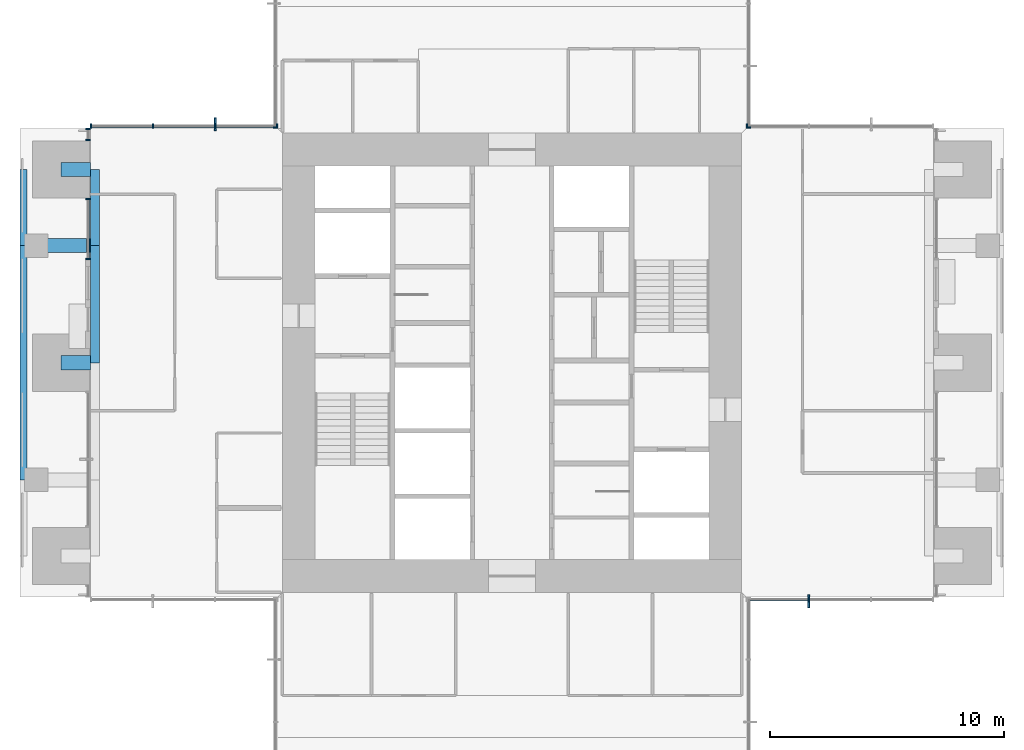
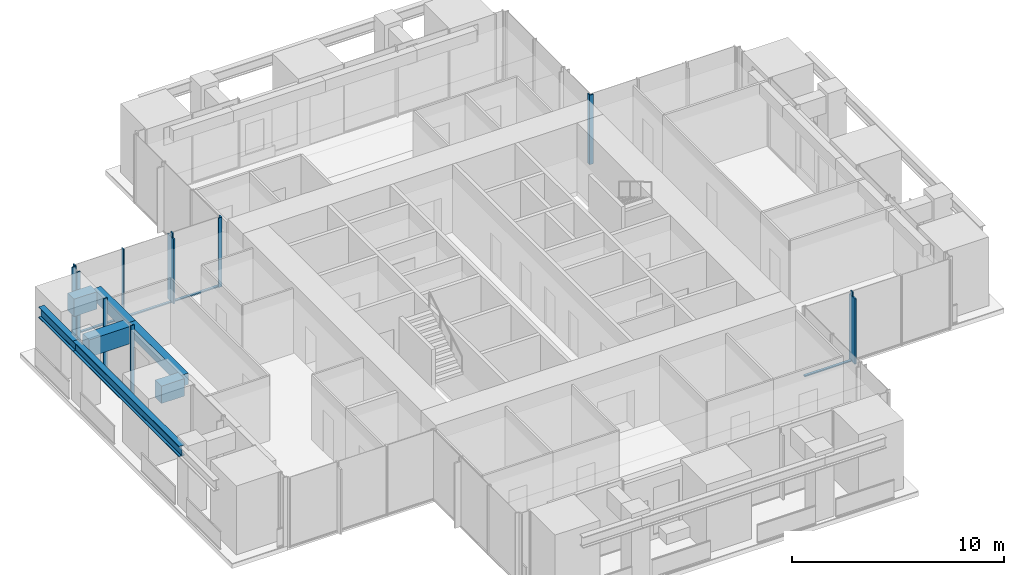
# One storey, part 3 of 17: 19 members, 7 beams, 7 elements without a shape of their own.
"""IFC4 building model written with IfcOpenShell, lengths in metres."""

from ifc_helpers import new_model, si_unit, direction, frame, origin, origin_2d, place, context, subcontext, project, spatial, rectangle, i_section, extrude, material, material_profile, profile_set, type_object, element, aggregate, save


model = new_model("IFC4")

# Units and contexts
model_context = context("Model", 3, precision=1e-05, world=origin(), true_north=direction((0.0, 1.0)))
body_context = subcontext(model_context, "Body", "Model", "MODEL_VIEW")
ifc_project = project(units=[si_unit("LENGTHUNIT", "METRE"), si_unit("AREAUNIT", "SQUARE_METRE"), si_unit("VOLUMEUNIT", "CUBIC_METRE"), si_unit("PLANEANGLEUNIT", "RADIAN"), si_unit("MASSUNIT", "GRAM", prefix="KILO")], contexts=[model_context])

# Site, building, storey
site_placement = place(None, origin())
site = spatial("IfcSite", under=ifc_project, at=site_placement, CompositionType="ELEMENT")
building_placement = place(site_placement, origin())
building = spatial("IfcBuilding", under=site, at=building_placement, Name="Svetlomir Tower", CompositionType="ELEMENT")
storey_placement = place(building_placement, frame((0.0, 0.0, 198.5)))
storey = spatial("IfcBuildingStorey", under=building, at=storey_placement, Name="L47", CompositionType="ELEMENT", Elevation=198.5)

# Curtain wall, member
ifc_material_1 = material(Name="Bronze anodised aluminium curtain wall", Category="aluminium")
curtain_wall_type = type_object("IfcCurtainWallType", Name="CURTAIN WALL CW1 TOWER OFFICE", PredefinedType="NOTDEFINED", material=ifc_material_1)
curtain_wall_1_placement = place(storey_placement, origin())
curtain_wall_1 = element("IfcCurtainWall", 1, at=curtain_wall_1_placement, inside=storey, type_object=curtain_wall_type, Name="Curtain wall CW1 L47", PredefinedType="NOTDEFINED")
ifc_material_2 = material(Name="Bronze anodised aluminium", Category="aluminium")
ifc_material_profile_1 = material_profile(ifc_material_2, rectangle(XDim=0.080078125, YDim=0.550048828125, at=origin_2d()), Name="FIN 80x550")
ifc_profile_set_1 = profile_set([ifc_material_profile_1], Name="Bronze anodised aluminium 6063-T6")
member_type_1 = type_object("IfcMemberType", Name="BRONZE FIN 80x550", PredefinedType="USERDEFINED", material=ifc_profile_set_1)
member_1_placement = place(storey_placement, frame((33.666748046875, 10.824951171875, 0.0), z_axis=(0.0, 0.0, 1.0), x_axis=(1.0, 0.0, 0.0)))
member_1 = element("IfcMember", 2, at=member_1_placement, type_object=member_type_1, Name="Bronze fin L47", ObjectType="FIN", PredefinedType="USERDEFINED", context=body_context, shape_type="SweptSolid", body=[
    extrude(rectangle(XDim=0.080078125, YDim=0.550048828125, at=origin_2d()), origin(), (0.0, 0.0, 1.0), 3.75),
])

curtain_wall_2_placement = place(storey_placement, origin())
curtain_wall_2 = element("IfcCurtainWall", 3, at=curtain_wall_2_placement, inside=storey, type_object=curtain_wall_type, Name="Curtain wall CW1 L47", PredefinedType="NOTDEFINED")
member_2_placement = place(storey_placement, frame((8.333251953125, 31.175048828125, 0.0), z_axis=(0.0, 0.0, 1.0), x_axis=(1.0, 0.0, 0.0)))
member_2 = element("IfcMember", 4, at=member_2_placement, type_object=member_type_1, Name="Bronze fin L47", ObjectType="FIN", PredefinedType="USERDEFINED", context=body_context, shape_type="SweptSolid", body=[
    extrude(rectangle(XDim=0.080078125, YDim=0.550048828125, at=origin_2d()), origin(), (0.0, 0.0, 1.0), 3.75),
])

# Member
ifc_material_3 = material(Name="Bronze anodised aluminium", Category="aluminium")
ifc_material_profile_2 = material_profile(ifc_material_3, rectangle(XDim=0.06494140625, YDim=0.199951171875, at=origin_2d()), Name="AL 65x200")
ifc_profile_set_2 = profile_set([ifc_material_profile_2], Name="Bronze anodised aluminium 6063-T6")
member_type_2 = type_object("IfcMemberType", Name="CW1 MULLION 65x200", PredefinedType="MULLION", material=ifc_profile_set_2)
member_3_placement = place(storey_placement, frame((33.666748046875, 10.89990234375, 0.0), z_axis=(0.0, 0.0, 1.0), x_axis=(1.0, 0.0, 0.0)))
member_3 = element("IfcMember", 5, at=member_3_placement, type_object=member_type_2, Name="CW1 mullion 2", PredefinedType="MULLION", context=body_context, shape_type="SweptSolid", body=[
    extrude(rectangle(XDim=0.06494140625, YDim=0.199951171875, at=origin_2d()), origin(), (0.0, 0.0, 1.0), 4.0),
])

# Curtain wall, member
curtain_wall_3_placement = place(storey_placement, origin())
curtain_wall_3 = element("IfcCurtainWall", 6, at=curtain_wall_3_placement, inside=storey, type_object=curtain_wall_type, Name="Curtain wall CW1 L47", PredefinedType="NOTDEFINED")
member_4_placement = place(storey_placement, frame((31.032470703125, 31.10009765625, 0.0), z_axis=(0.0, 0.0, 1.0), x_axis=(-1.0, 0.0, 0.0)))
member_4 = element("IfcMember", 7, at=member_4_placement, type_object=member_type_2, Name="CW1 mullion 4", PredefinedType="MULLION", context=body_context, shape_type="SweptSolid", body=[
    extrude(rectangle(XDim=0.06494140625, YDim=0.199951171875, at=origin_2d()), origin(), (0.0, 0.0, 1.0), 4.0),
])
aggregate(curtain_wall_3, [member_4])

curtain_wall_4_placement = place(storey_placement, origin())
curtain_wall_4 = element("IfcCurtainWall", 8, at=curtain_wall_4_placement, inside=storey, type_object=curtain_wall_type, Name="Curtain wall CW1 L47", PredefinedType="NOTDEFINED")
member_5_placement = place(storey_placement, frame((31.10009765625, 31.032470703125, 0.0), z_axis=(0.0, 0.0, 1.0), x_axis=(0.0, 1.0, 0.0)))
member_5 = element("IfcMember", 9, at=member_5_placement, type_object=member_type_2, Name="CW1 mullion 1", PredefinedType="MULLION", context=body_context, shape_type="SweptSolid", body=[
    extrude(rectangle(XDim=0.06494140625, YDim=0.199951171875, at=origin_2d()), origin(), (0.0, 0.0, 1.0), 4.0),
])
aggregate(curtain_wall_4, [member_5])

curtain_wall_5_placement = place(storey_placement, origin())
curtain_wall_5 = element("IfcCurtainWall", 10, at=curtain_wall_5_placement, inside=storey, type_object=curtain_wall_type, Name="Curtain wall CW1 L47", PredefinedType="NOTDEFINED")
member_6_placement = place(storey_placement, frame((10.89990234375, 31.032470703125, 0.0), z_axis=(0.0, 0.0, 1.0), x_axis=(0.0, -1.0, 0.0)))
member_6 = element("IfcMember", 11, at=member_6_placement, type_object=member_type_2, Name="CW1 mullion 4", PredefinedType="MULLION", context=body_context, shape_type="SweptSolid", body=[
    extrude(rectangle(XDim=0.06494140625, YDim=0.199951171875, at=origin_2d()), origin(), (0.0, 0.0, 1.0), 4.0),
])
aggregate(curtain_wall_5, [member_6])

# Member
member_7_placement = place(storey_placement, frame((10.967529296875, 31.10009765625, 0.0), z_axis=(0.0, 0.0, 1.0), x_axis=(-1.0, 0.0, 0.0)))
member_7 = element("IfcMember", 12, at=member_7_placement, type_object=member_type_2, Name="CW1 mullion 1", PredefinedType="MULLION", context=body_context, shape_type="SweptSolid", body=[
    extrude(rectangle(XDim=0.06494140625, YDim=0.199951171875, at=origin_2d()), origin(), (0.0, 0.0, 1.0), 4.0),
])

member_8_placement = place(storey_placement, frame((8.333251953125, 31.10009765625, 0.0), z_axis=(0.0, 0.0, 1.0), x_axis=(-1.0, 0.0, 0.0)))
member_8 = element("IfcMember", 13, at=member_8_placement, type_object=member_type_2, Name="CW1 mullion 2", PredefinedType="MULLION", context=body_context, shape_type="SweptSolid", body=[
    extrude(rectangle(XDim=0.06494140625, YDim=0.199951171875, at=origin_2d()), origin(), (0.0, 0.0, 1.0), 4.0),
])

member_9_placement = place(storey_placement, frame((5.666748046875, 31.10009765625, 0.0), z_axis=(0.0, 0.0, 1.0), x_axis=(-1.0, 0.0, 0.0)))
member_9 = element("IfcMember", 14, at=member_9_placement, type_object=member_type_2, Name="CW1 mullion 3", PredefinedType="MULLION", context=body_context, shape_type="SweptSolid", body=[
    extrude(rectangle(XDim=0.06494140625, YDim=0.199951171875, at=origin_2d()), origin(), (0.0, 0.0, 1.0), 4.0),
])

member_10_placement = place(storey_placement, frame((3.032470703125, 31.10009765625, 0.0), z_axis=(0.0, 0.0, 1.0), x_axis=(-1.0, 0.0, 0.0)))
member_10 = element("IfcMember", 15, at=member_10_placement, type_object=member_type_2, Name="CW1 mullion 4", PredefinedType="MULLION", context=body_context, shape_type="SweptSolid", body=[
    extrude(rectangle(XDim=0.06494140625, YDim=0.199951171875, at=origin_2d()), origin(), (0.0, 0.0, 1.0), 4.0),
])

# Curtain wall, members
curtain_wall_6_placement = place(storey_placement, origin())
curtain_wall_6 = element("IfcCurtainWall", 16, at=curtain_wall_6_placement, inside=storey, type_object=curtain_wall_type, Name="Curtain wall CW1 L47", PredefinedType="NOTDEFINED")
member_11_placement = place(storey_placement, frame((2.89990234375, 30.967529296875, 0.0), z_axis=(0.0, 0.0, 1.0), x_axis=(0.0, -1.0, 0.0)))
member_11 = element("IfcMember", 17, at=member_11_placement, type_object=member_type_2, Name="CW1 mullion 1", PredefinedType="MULLION", context=body_context, shape_type="SweptSolid", body=[
    extrude(rectangle(XDim=0.06494140625, YDim=0.199951171875, at=origin_2d()), origin(), (0.0, 0.0, 1.0), 4.0),
])
member_12_placement = place(storey_placement, frame((2.89990234375, 30.507568359375, 0.0), z_axis=(0.0, 0.0, 1.0), x_axis=(0.0, -1.0, 0.0)))
member_12 = element("IfcMember", 18, at=member_12_placement, type_object=member_type_2, Name="CW1 mullion 2", PredefinedType="MULLION", context=body_context, shape_type="SweptSolid", body=[
    extrude(rectangle(XDim=0.06494140625, YDim=0.199951171875, at=origin_2d()), origin(), (0.0, 0.0, 1.0), 4.0),
])
aggregate(curtain_wall_6, [member_11, member_12])

curtain_wall_7_placement = place(storey_placement, origin())
curtain_wall_7 = element("IfcCurtainWall", 19, at=curtain_wall_7_placement, inside=storey, type_object=curtain_wall_type, Name="Curtain wall CW1 L47", PredefinedType="NOTDEFINED")
member_13_placement = place(storey_placement, frame((2.89990234375, 27.992431640625, 0.0), z_axis=(0.0, 0.0, 1.0), x_axis=(0.0, -1.0, 0.0)))
member_13 = element("IfcMember", 20, at=member_13_placement, type_object=member_type_2, Name="CW1 mullion 1", PredefinedType="MULLION", context=body_context, shape_type="SweptSolid", body=[
    extrude(rectangle(XDim=0.06494140625, YDim=0.199951171875, at=origin_2d()), origin(), (0.0, 0.0, 1.0), 4.0),
])
member_14_placement = place(storey_placement, frame((2.89990234375, 25.4326171875, 0.0), z_axis=(0.0, 0.0, 1.0), x_axis=(0.0, -1.0, 0.0)))
member_14 = element("IfcMember", 21, at=member_14_placement, type_object=member_type_2, Name="CW1 mullion 2", PredefinedType="MULLION", context=body_context, shape_type="SweptSolid", body=[
    extrude(rectangle(XDim=0.06494140625, YDim=0.199951171875, at=origin_2d()), origin(), (0.0, 0.0, 1.0), 4.0),
])

# Member
ifc_material_4 = material(Name="Bronze anodised aluminium", Category="aluminium")
ifc_material_profile_3 = material_profile(ifc_material_4, rectangle(XDim=0.139892578125, YDim=0.06494140625, at=origin_2d()), Name="AL 140x65")
ifc_profile_set_3 = profile_set([ifc_material_profile_3], Name="Bronze anodised aluminium 6063-T6")
member_type_3 = type_object("IfcMemberType", Name="CW1 TRANSOM 65x140", PredefinedType="USERDEFINED", material=ifc_profile_set_3)
member_15_placement = place(storey_placement, frame((31.06494140625, 10.89990234375, 0.032470703125), z_axis=(1.0, 0.0, 0.0), x_axis=(0.0, 1.0, 0.0)))
member_15 = element("IfcMember", 22, at=member_15_placement, type_object=member_type_3, Name="CW1 transom 1.1", ObjectType="TRANSOM", PredefinedType="USERDEFINED", context=body_context, shape_type="SweptSolid", body=[
    extrude(rectangle(XDim=0.139892578125, YDim=0.06494140625, at=origin_2d()), origin(), (0.0, 0.0, 1.0), 2.5693359375),
])

aggregate(curtain_wall_1, [member_3, member_15, member_1])

member_16_placement = place(storey_placement, frame((10.93505859375, 31.10009765625, 0.032470703125), z_axis=(-1.0, 0.0, 0.0), x_axis=(0.0, -1.0, 0.0)))
member_16 = element("IfcMember", 23, at=member_16_placement, type_object=member_type_3, Name="CW1 transom 1.1", ObjectType="TRANSOM", PredefinedType="USERDEFINED", context=body_context, shape_type="SweptSolid", body=[
    extrude(rectangle(XDim=0.139892578125, YDim=0.06494140625, at=origin_2d()), origin(), (0.0, 0.0, 1.0), 2.5693359375),
])

member_17_placement = place(storey_placement, frame((8.30078125, 31.10009765625, 0.032470703125), z_axis=(-1.0, 0.0, 0.0), x_axis=(0.0, -1.0, 0.0)))
member_17 = element("IfcMember", 24, at=member_17_placement, type_object=member_type_3, Name="CW1 transom 2.1", ObjectType="TRANSOM", PredefinedType="USERDEFINED", context=body_context, shape_type="SweptSolid", body=[
    extrude(rectangle(XDim=0.139892578125, YDim=0.06494140625, at=origin_2d()), origin(), (0.0, 0.0, 1.0), 2.6015625),
])

member_18_placement = place(storey_placement, frame((5.63427734375, 31.10009765625, 0.032470703125), z_axis=(-1.0, 0.0, 0.0), x_axis=(0.0, -1.0, 0.0)))
member_18 = element("IfcMember", 25, at=member_18_placement, type_object=member_type_3, Name="CW1 transom 3.1", ObjectType="TRANSOM", PredefinedType="USERDEFINED", context=body_context, shape_type="SweptSolid", body=[
    extrude(rectangle(XDim=0.139892578125, YDim=0.06494140625, at=origin_2d()), origin(), (0.0, 0.0, 1.0), 2.5693359375),
])

aggregate(curtain_wall_2, [member_7, member_8, member_9, member_10, member_16, member_17, member_18, member_2])

member_19_placement = place(storey_placement, frame((2.89990234375, 27.9599609375, 0.032470703125), z_axis=(0.0, -1.0, 0.0), x_axis=(1.0, 0.0, 0.0)))
member_19 = element("IfcMember", 26, at=member_19_placement, type_object=member_type_3, Name="CW1 transom 1.1", ObjectType="TRANSOM", PredefinedType="USERDEFINED", context=body_context, shape_type="SweptSolid", body=[
    extrude(rectangle(XDim=0.139892578125, YDim=0.06494140625, at=origin_2d()), origin(), (0.0, 0.0, 1.0), 2.494873046875),
])

aggregate(curtain_wall_7, [member_13, member_14, member_19])

# Beams
ifc_material_5 = material(Name="Steel S355", Category="steel")
ifc_material_profile_4 = material_profile(ifc_material_5, i_section(OverallWidth=0.304931640625, OverallDepth=0.6201171875, WebThickness=0.02099609375, FlangeThickness=0.0400390625, FilletRadius=0.027099609375, at=origin_2d()), Name="HEM 600")
ifc_profile_set_4 = profile_set([ifc_material_profile_4], Name="Steel S355")
beam_type_1 = type_object("IfcBeamType", Name="EDGE BEAM HEM 600", PredefinedType="SPANDREL", material=ifc_profile_set_4)
beam_1_placement = place(storey_placement, frame((0.152587890625, 16.0, 3.43994140625), z_axis=(0.0, 1.0, 0.0), x_axis=(-1.0, 0.0, 0.0)))
element("IfcBeam", 27, at=beam_1_placement, inside=storey, type_object=beam_type_1, Name="Edge beam 0/16 to 0/26 under L48", PredefinedType="SPANDREL", context=body_context, shape_type="SweptSolid", body=[
    extrude(i_section(OverallWidth=0.304931640625, OverallDepth=0.6201171875, WebThickness=0.02099609375, FlangeThickness=0.0400390625, FilletRadius=0.027099609375, at=origin_2d()), origin(), (0.0, 0.0, 1.0), 10.0),
])
beam_2_placement = place(storey_placement, frame((0.152587890625, 26.0, 3.43994140625), z_axis=(0.0, 1.0, 0.0), x_axis=(-1.0, 0.0, 0.0)))
element("IfcBeam", 28, at=beam_2_placement, inside=storey, type_object=beam_type_1, Name="Edge beam 0/26 to 0/31 under L48", PredefinedType="SPANDREL", context=body_context, shape_type="SweptSolid", body=[
    extrude(i_section(OverallWidth=0.304931640625, OverallDepth=0.6201171875, WebThickness=0.02099609375, FlangeThickness=0.0400390625, FilletRadius=0.027099609375, at=origin_2d()), origin(), (0.0, 0.0, 1.0), 3.25),
])
ifc_material_6 = material(Name="Concrete C60/75", Category="concrete")
ifc_material_profile_5 = material_profile(ifc_material_6, rectangle(XDim=0.39990234375, YDim=0.64990234375, at=origin_2d()), Name="RC 400x650")
ifc_profile_set_5 = profile_set([ifc_material_profile_5], Name="Concrete C60/75")
beam_type_2 = type_object("IfcBeamType", Name="FACADE EDGE BEAM RC 400x650", PredefinedType="BEAM", material=ifc_profile_set_5)
beam_3_placement = place(storey_placement, frame((3.199951171875, 21.0, 3.425048828125), z_axis=(0.0, 1.0, 0.0), x_axis=(-1.0, 0.0, 0.0)))
element("IfcBeam", 29, at=beam_3_placement, inside=storey, type_object=beam_type_2, Name="Facade edge beam W 21 to 26 under L48", PredefinedType="BEAM", context=body_context, shape_type="SweptSolid", body=[
    extrude(rectangle(XDim=0.39990234375, YDim=0.64990234375, at=origin_2d()), origin(), (0.0, 0.0, 1.0), 5.0),
])
beam_4_placement = place(storey_placement, frame((3.199951171875, 26.0, 3.425048828125), z_axis=(0.0, 1.0, 0.0), x_axis=(-1.0, 0.0, 0.0)))
element("IfcBeam", 30, at=beam_4_placement, inside=storey, type_object=beam_type_2, Name="Facade edge beam W 26 to 31 under L48", PredefinedType="BEAM", context=body_context, shape_type="SweptSolid", body=[
    extrude(rectangle(XDim=0.39990234375, YDim=0.64990234375, at=origin_2d()), origin(), (0.0, 0.0, 1.0), 3.25),
])
ifc_material_7 = material(Name="Concrete C60/75", Category="concrete")
ifc_material_profile_6 = material_profile(ifc_material_7, rectangle(XDim=0.60009765625, YDim=1.0, at=origin_2d()), Name="RC 600x1000")
ifc_profile_set_6 = profile_set([ifc_material_profile_6], Name="Concrete C60/75")
beam_type_3 = type_object("IfcBeamType", Name="LOGGIA LINK BEAM RC 600x1000", PredefinedType="BEAM", material=ifc_profile_set_6)
beam_5_placement = place(storey_placement, frame((1.75, 21.0, 3.25), z_axis=(1.0, 0.0, 0.0), x_axis=(0.0, 1.0, 0.0)))
element("IfcBeam", 31, at=beam_5_placement, inside=storey, type_object=beam_type_3, Name="Loggia link beam W 21 under L48", PredefinedType="BEAM", context=body_context, shape_type="SweptSolid", body=[
    extrude(rectangle(XDim=0.60009765625, YDim=1.0, at=origin_2d()), origin(), (0.0, 0.0, 1.0), 1.25),
])
beam_6_placement = place(storey_placement, frame((0.699951171875, 26.0, 3.25), z_axis=(1.0, 0.0, 0.0), x_axis=(0.0, 1.0, 0.0)))
element("IfcBeam", 32, at=beam_6_placement, inside=storey, type_object=beam_type_3, Name="Loggia link beam W 26 under L48", PredefinedType="BEAM", context=body_context, shape_type="SweptSolid", body=[
    extrude(rectangle(XDim=0.60009765625, YDim=1.0, at=origin_2d()), origin(), (0.0, 0.0, 1.0), 2.300048828125),
])
beam_7_placement = place(storey_placement, frame((1.75, 29.25, 3.25), z_axis=(1.0, 0.0, 0.0), x_axis=(0.0, 1.0, 0.0)))
element("IfcBeam", 33, at=beam_7_placement, inside=storey, type_object=beam_type_3, Name="Loggia link beam W 31 under L48", PredefinedType="BEAM", context=body_context, shape_type="SweptSolid", body=[
    extrude(rectangle(XDim=0.60009765625, YDim=1.0, at=origin_2d()), origin(), (0.0, 0.0, 1.0), 1.25),
])

save(model, "model.ifc")
